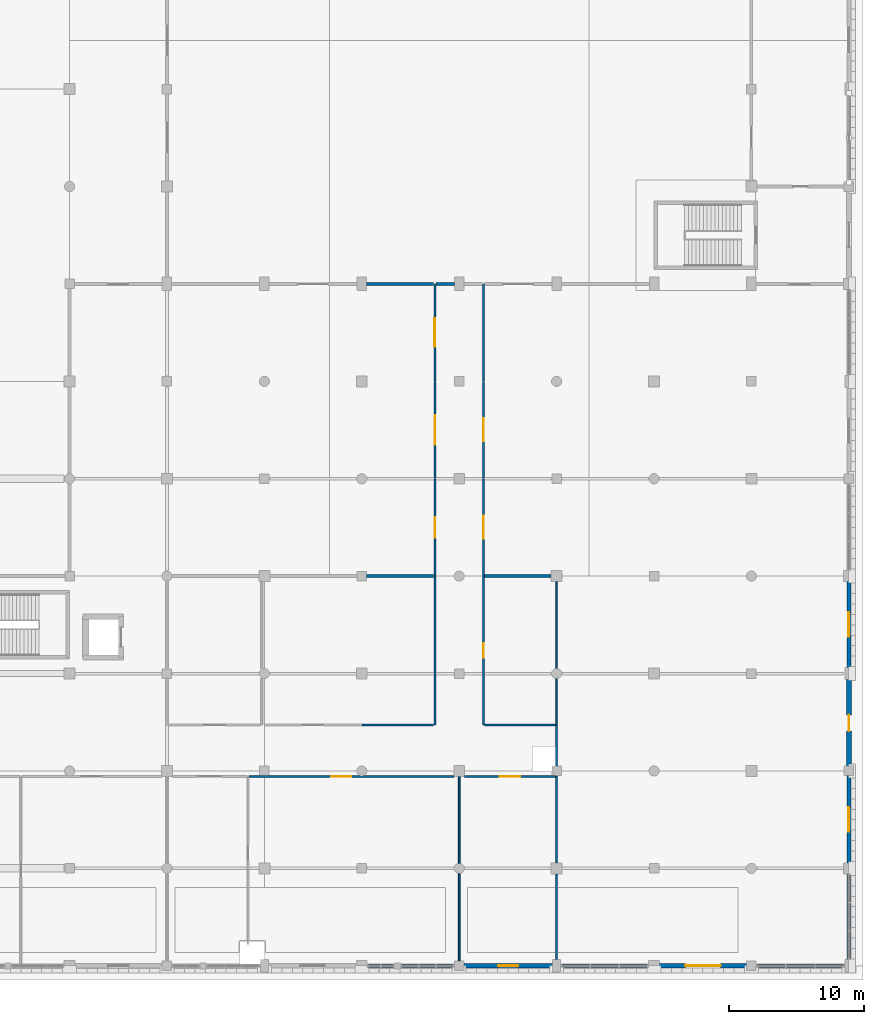
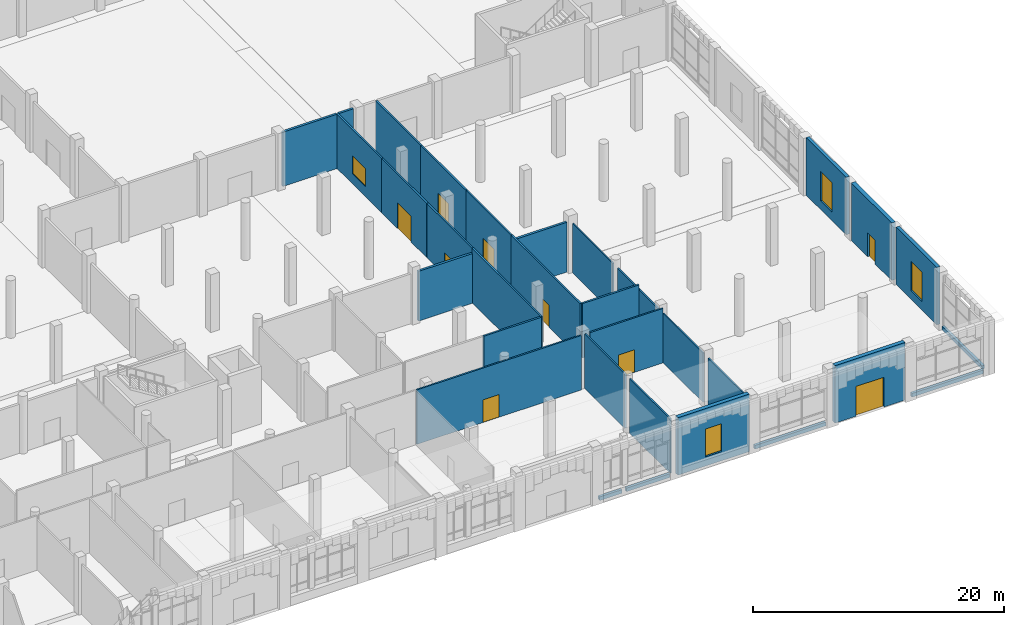
# One storey, part 63 of 85: 33 walls, 9 doors, 4 windows, 13 openings.
"""IFC4 building model written with IfcOpenShell, lengths in metres."""

from ifc_helpers import new_model, si_unit, direction, frame, frame_2d, origin, place, context, subcontext, project, spatial, rectangle, extrude, material, layer, layer_set, type_object, element, fill, save


model = new_model("IFC4")

# Units and contexts
model_context = context("Model", 3, precision=1e-05, world=origin(), true_north=direction((0.0, 1.0)))
body_context = subcontext(model_context, "Body", "Model", "MODEL_VIEW")
ifc_project = project(units=[si_unit("LENGTHUNIT", "METRE"), si_unit("AREAUNIT", "SQUARE_METRE"), si_unit("VOLUMEUNIT", "CUBIC_METRE"), si_unit("PLANEANGLEUNIT", "RADIAN"), si_unit("MASSUNIT", "GRAM", prefix="KILO")], contexts=[model_context])

# Site, building, storey
site_placement = place(None, origin())
site = spatial("IfcSite", under=ifc_project, at=site_placement, CompositionType="ELEMENT")
building_placement = place(site_placement, origin())
building = spatial("IfcBuilding", under=site, at=building_placement, Name="Sardonyx Promenade Sports Hall", CompositionType="ELEMENT")
storey_placement = place(building_placement, origin())
storey = spatial("IfcBuildingStorey", under=building, at=storey_placement, Name="L00", CompositionType="ELEMENT", Elevation=0.0)

# Wall, opening, window
ifc_material_1 = material(Name="Concrete C40/50", Category="concrete")
ifc_layer_1 = layer(ifc_material_1, 0.300048828125)
ifc_layer_set_1 = layer_set([ifc_layer_1], Name="Wall_Ext_Hall_300")
wall_type_1 = type_object("IfcWallType", Name="Wall_Ext_Hall_300", PredefinedType="SOLIDWALL", material=ifc_layer_set_1)
wall_1_placement = place(storey_placement, frame((165.60009765625, 28.4150390625, 0.0), z_axis=(0.0, 0.0, 1.0), x_axis=(0.0, -1.0, 0.0)))
wall_1 = element("IfcWall", 1, at=wall_1_placement, inside=storey, type_object=wall_type_1, Name="Exterior wall EW04 L00 #100", PredefinedType="SOLIDWALL", context=body_context, shape_type="SweptSolid", body=[
    extrude(rectangle(XDim=6.380126953125, YDim=0.300048828125, at=frame_2d((3.18994140625, 0.0))), origin(), (0.0, 0.0, 1.0), 5.60009765625),
])
opening_1_placement = place(wall_1_placement, frame((2.2900390625, 0.0, 0.85009765625)))
opening_1 = element("IfcOpeningElement", 2, at=opening_1_placement, cuts=wall_1, Name="Opening W23", PredefinedType="OPENING", context=body_context, shape_type="SweptSolid", body=[
    extrude(rectangle(XDim=1.800048828125, YDim=2.85009765625, at=frame_2d((0.89990234375, 1.425048828125))), frame((0.0, 0.16, 0.0), z_axis=(0.0, -1.0, 0.0), x_axis=(1.0, 0.0, 0.0)), (0.0, 0.0, 1.0), 0.32),
])
ifc_material_2 = material(Name="Double-glazed solar low-E aluminium window", Category="aluminium")
window_type_1 = type_object("IfcWindowType", Name="Win_Sandstone_ArchA", PartitioningType="DOUBLE_PANEL_VERTICAL", PredefinedType="WINDOW", material=ifc_material_2)
window_1_placement = place(opening_1_placement, origin())
window_1 = element("IfcWindow", 3, at=window_1_placement, inside=storey, type_object=window_type_1, Name="Facade window W23 L00 #41", OverallHeight=2.85009765625, OverallWidth=1.800048828125, PartitioningType="SINGLE_PANEL", PredefinedType="WINDOW", context=body_context, shape_type="SweptSolid", body=[
    extrude(rectangle(XDim=1.800048828125, YDim=2.85009765625, at=frame_2d((0.89990234375, 1.425048828125))), frame((0.0, 0.030029296875, 0.0), z_axis=(0.0, -1.0, 0.0), x_axis=(1.0, 0.0, 0.0)), (0.0, 0.0, 1.0), 0.06005859375),
])
fill(opening_1, window_1)

wall_2_placement = place(storey_placement, frame((165.60009765625, 14.06494140625, 0.0), z_axis=(0.0, 0.0, 1.0), x_axis=(0.0, -1.0, 0.0)))
wall_2 = element("IfcWall", 4, at=wall_2_placement, inside=storey, type_object=wall_type_1, Name="Exterior wall EW04 L00 #102", PredefinedType="SOLIDWALL", context=body_context, shape_type="SweptSolid", body=[
    extrude(rectangle(XDim=6.47998046875, YDim=0.300048828125, at=frame_2d((3.239990234375, 0.0))), origin(), (0.0, 0.0, 1.0), 5.60009765625),
])
opening_2_placement = place(wall_2_placement, frame((2.340087890625, 0.0, 0.85009765625)))
opening_2 = element("IfcOpeningElement", 5, at=opening_2_placement, cuts=wall_2, Name="Opening W23", PredefinedType="OPENING", context=body_context, shape_type="SweptSolid", body=[
    extrude(rectangle(XDim=1.800048828125, YDim=2.85009765625, at=frame_2d((0.89990234375, 1.425048828125))), frame((0.0, 0.16, 0.0), z_axis=(0.0, -1.0, 0.0), x_axis=(1.0, 0.0, 0.0)), (0.0, 0.0, 1.0), 0.32),
])
window_2_placement = place(opening_2_placement, origin())
window_2 = element("IfcWindow", 6, at=window_2_placement, inside=storey, type_object=window_type_1, Name="Facade window W23 L00 #42", OverallHeight=2.85009765625, OverallWidth=1.800048828125, PartitioningType="SINGLE_PANEL", PredefinedType="WINDOW", context=body_context, shape_type="SweptSolid", body=[
    extrude(rectangle(XDim=1.800048828125, YDim=2.85009765625, at=frame_2d((0.89990234375, 1.425048828125))), frame((0.0, 0.030029296875, 0.0), z_axis=(0.0, -1.0, 0.0), x_axis=(1.0, 0.0, 0.0)), (0.0, 0.0, 1.0), 0.06005859375),
])
fill(opening_2, window_2)

# Wall, opening, door
ifc_material_3 = material(Name="Concrete C40/50", Category="concrete")
ifc_layer_2 = layer(ifc_material_3, 0.360107421875)
ifc_layer_set_2 = layer_set([ifc_layer_2], Name="Wall_Ext_Sandstone_360")
wall_type_2 = type_object("IfcWallType", Name="Wall_Ext_Sandstone_360", PredefinedType="SOLIDWALL", material=ifc_layer_set_2)
wall_3_placement = place(storey_placement, frame((158.06494140625, 0.0, 0.0), z_axis=(0.0, 0.0, 1.0), x_axis=(-1.0, 0.0, 0.0)))
wall_3 = element("IfcWall", 7, at=wall_3_placement, inside=storey, type_object=wall_type_2, Name="Exterior wall EW06 L00 #2", PredefinedType="SOLIDWALL", context=body_context, shape_type="SweptSolid", body=[
    extrude(rectangle(XDim=6.47998046875, YDim=0.360107421875, at=frame_2d((3.239990234375, 0.0))), origin(), (0.0, 0.0, 1.0), 5.60009765625),
])
opening_3_placement = place(wall_3_placement, frame((1.93994140625, 0.0, 0.0)))
opening_3 = element("IfcOpeningElement", 8, at=opening_3_placement, cuts=wall_3, Name="Opening ED05", PredefinedType="OPENING", context=body_context, shape_type="SweptSolid", body=[
    extrude(rectangle(XDim=2.60009765625, YDim=2.89990234375, at=frame_2d((1.300048828125, 1.449951171875))), frame((0.0, 0.19, 0.0), z_axis=(0.0, -1.0, 0.0), x_axis=(1.0, 0.0, 0.0)), (0.0, 0.0, 1.0), 0.38),
])
ifc_material_4 = material(Name="Thermally broken anodised aluminium glazed door", Category="aluminium")
door_type_1 = type_object("IfcDoorType", Name="Door_Ext_Service_260x290", OperationType="NOTDEFINED", PredefinedType="DOOR", material=ifc_material_4)
door_1_placement = place(opening_3_placement, origin())
door_1 = element("IfcDoor", 9, at=door_1_placement, inside=storey, type_object=door_type_1, Name="Exterior exit door E03", OperationType="DOUBLE_DOOR_SINGLE_SWING", OverallHeight=2.89990234375, OverallWidth=2.60009765625, PredefinedType="DOOR", context=body_context, shape_type="SweptSolid", body=[
    extrude(rectangle(XDim=2.60009765625, YDim=2.89990234375, at=frame_2d((1.300048828125, 1.449951171875))), frame((0.0, 0.02490234375, 0.0), z_axis=(0.0, -1.0, 0.0), x_axis=(1.0, 0.0, 0.0)), (0.0, 0.0, 1.0), 0.050048828125),
])
fill(opening_3, door_1)

# Wall, opening, window
wall_4_placement = place(storey_placement, frame((143.715087890625, 0.0, 0.0), z_axis=(0.0, 0.0, 1.0), x_axis=(-1.0, 0.0, 0.0)))
wall_4 = element("IfcWall", 10, at=wall_4_placement, inside=storey, type_object=wall_type_2, Name="Exterior wall EW06 L00 #4", PredefinedType="SOLIDWALL", context=body_context, shape_type="SweptSolid", body=[
    extrude(rectangle(XDim=6.580078125, YDim=0.360107421875, at=frame_2d((3.2900390625, 0.0))), origin(), (0.0, 0.0, 1.0), 5.60009765625),
])
opening_4_placement = place(wall_4_placement, frame((2.5400390625, 0.0, 0.89990234375)))
opening_4 = element("IfcOpeningElement", 11, at=opening_4_placement, cuts=wall_4, Name="Opening W07", PredefinedType="OPENING", context=body_context, shape_type="SweptSolid", body=[
    extrude(rectangle(XDim=1.5, YDim=2.699951171875, at=frame_2d((0.75, 1.35009765625))), frame((0.0, 0.19, 0.0), z_axis=(0.0, -1.0, 0.0), x_axis=(1.0, 0.0, 0.0)), (0.0, 0.0, 1.0), 0.38),
])
ifc_material_5 = material(Name="Double-glazed solar low-E aluminium window", Category="aluminium")
window_type_2 = type_object("IfcWindowType", Name="Win_Sandstone_TallA", PartitioningType="SINGLE_PANEL", PredefinedType="WINDOW", material=ifc_material_5)
window_3_placement = place(opening_4_placement, origin())
window_3 = element("IfcWindow", 12, at=window_3_placement, inside=storey, type_object=window_type_2, Name="Facade window W07 L00 #1", OverallHeight=2.699951171875, OverallWidth=1.5, PartitioningType="SINGLE_PANEL", PredefinedType="WINDOW", context=body_context, shape_type="SweptSolid", body=[
    extrude(rectangle(XDim=1.5, YDim=2.699951171875, at=frame_2d((0.75, 1.35009765625))), frame((0.0, 0.030029296875, 0.0), z_axis=(0.0, -1.0, 0.0), x_axis=(1.0, 0.0, 0.0)), (0.0, 0.0, 1.0), 0.06005859375),
])
fill(opening_4, window_3)

# Wall, opening, door
wall_5_placement = place(storey_placement, frame((165.60009765625, 21.1650390625, 0.0), z_axis=(0.0, 0.0, 1.0), x_axis=(0.0, -1.0, 0.0)))
wall_5 = element("IfcWall", 13, at=wall_5_placement, inside=storey, type_object=wall_type_2, Name="Exterior wall EW06 L00 #101", PredefinedType="SOLIDWALL", context=body_context, shape_type="SweptSolid", body=[
    extrude(rectangle(XDim=6.429931640625, YDim=0.360107421875, at=frame_2d((3.21484375, 0.0))), origin(), (0.0, 0.0, 1.0), 5.60009765625),
])
opening_5_placement = place(wall_5_placement, frame((2.614990234375, 0.0, 0.0)))
opening_5 = element("IfcOpeningElement", 14, at=opening_5_placement, cuts=wall_5, Name="Opening ED02", PredefinedType="OPENING", context=body_context, shape_type="SweptSolid", body=[
    extrude(rectangle(XDim=1.199951171875, YDim=2.300048828125, at=frame_2d((0.60009765625, 1.14990234375))), frame((0.0, 0.19, 0.0), z_axis=(0.0, -1.0, 0.0), x_axis=(1.0, 0.0, 0.0)), (0.0, 0.0, 1.0), 0.38),
])
ifc_material_6 = material(Name="Thermally broken anodised aluminium glazed door", Category="aluminium")
door_type_2 = type_object("IfcDoorType", Name="Door_Ext_Single_120x230", OperationType="NOTDEFINED", PredefinedType="DOOR", material=ifc_material_6)
door_2_placement = place(opening_5_placement, origin())
door_2 = element("IfcDoor", 15, at=door_2_placement, inside=storey, type_object=door_type_2, Name="Exterior exit door E10", OperationType="SINGLE_SWING_RIGHT", OverallHeight=2.300048828125, OverallWidth=1.199951171875, PredefinedType="DOOR", context=body_context, shape_type="SweptSolid", body=[
    extrude(rectangle(XDim=1.199951171875, YDim=2.300048828125, at=frame_2d((0.60009765625, 1.14990234375))), frame((0.0, 0.02490234375, 0.0), z_axis=(0.0, -1.0, 0.0), x_axis=(1.0, 0.0, 0.0)), (0.0, 0.0, 1.0), 0.050048828125),
])
fill(opening_5, door_2)

# Walls
ifc_material_7 = material(Name="Masonry CMU 15 MPa", Category="masonry")
ifc_layer_3 = layer(ifc_material_7, 0.239990234375)
ifc_layer_set_3 = layer_set([ifc_layer_3], Name="Wall_Ext_Spandrel_240")
wall_type_3 = type_object("IfcWallType", Name="Wall_Ext_Spandrel_240", PredefinedType="SOLIDWALL", material=ifc_layer_set_3)
wall_6_placement = place(storey_placement, frame((165.31494140625, 0.0, 0.0), z_axis=(0.0, 0.0, 1.0), x_axis=(-1.0, 0.0, 0.0)))
element("IfcWall", 16, at=wall_6_placement, inside=storey, type_object=wall_type_3, Name="Curtain-wall sill spandrel L00 #1", PredefinedType="SOLIDWALL", context=body_context, shape_type="SweptSolid", body=[
    extrude(rectangle(XDim=6.579833984375, YDim=0.239990234375, at=frame_2d((3.2900390625, 0.0))), origin(), (0.0, 0.0, 1.0), 0.35009765625),
])
wall_7_placement = place(storey_placement, frame((150.81494140625, 0.0, 0.0), z_axis=(0.0, 0.0, 1.0), x_axis=(-1.0, 0.0, 0.0)))
element("IfcWall", 17, at=wall_7_placement, inside=storey, type_object=wall_type_3, Name="Curtain-wall sill spandrel L00 #3", PredefinedType="SOLIDWALL", context=body_context, shape_type="SweptSolid", body=[
    extrude(rectangle(XDim=6.530029296875, YDim=0.239990234375, at=frame_2d((3.26513671875, 0.0))), origin(), (0.0, 0.0, 1.0), 0.35009765625),
])
wall_8_placement = place(storey_placement, frame((136.465087890625, 0.0, 0.0), z_axis=(0.0, 0.0, 1.0), x_axis=(-1.0, 0.0, 0.0)))
element("IfcWall", 18, at=wall_8_placement, inside=storey, type_object=wall_type_3, Name="Curtain-wall sill spandrel L00 #5", PredefinedType="SOLIDWALL", context=body_context, shape_type="SweptSolid", body=[
    extrude(rectangle(XDim=4.005126953125, YDim=0.239990234375, at=frame_2d((2.00244140625, 0.0))), origin(), (0.0, 0.0, 1.0), 0.35009765625),
])
wall_9_placement = place(storey_placement, frame((132.0400390625, 0.0, 0.0), z_axis=(0.0, 0.0, 1.0), x_axis=(-1.0, 0.0, 0.0)))
element("IfcWall", 19, at=wall_9_placement, inside=storey, type_object=wall_type_3, Name="Curtain-wall sill spandrel L00 #6", PredefinedType="SOLIDWALL", context=body_context, shape_type="SweptSolid", body=[
    extrude(rectangle(XDim=2.054931640625, YDim=0.239990234375, at=frame_2d((1.02734375, 0.0))), origin(), (0.0, 0.0, 1.0), 0.35009765625),
])
wall_10_placement = place(storey_placement, frame((165.60009765625, 6.81494140625, 0.0), z_axis=(0.0, 0.0, 1.0), x_axis=(0.0, -1.0, 0.0)))
element("IfcWall", 20, at=wall_10_placement, inside=storey, type_object=wall_type_3, Name="Curtain-wall sill spandrel L00 #103", PredefinedType="SOLIDWALL", context=body_context, shape_type="SweptSolid", body=[
    extrude(rectangle(XDim=6.3798828125, YDim=0.239990234375, at=frame_2d((3.18994140625, 0.0))), origin(), (0.0, 0.0, 1.0), 0.35009765625),
])
ifc_material_8 = material(Name="Twin-stud acoustic gypsum partition", Category="gypsum")
ifc_layer_4 = layer(ifc_material_8, 0.169921875)
ifc_layer_set_4 = layer_set([ifc_layer_4], Name="Wall_Part_Acoust_170")
wall_type_4 = type_object("IfcWallType", Name="Wall_Part_Acoust_170", PredefinedType="PARTITIONING", material=ifc_layer_set_4)
wall_11_placement = place(storey_placement, frame((129.610107421875, 17.800048828125, 0.0), z_axis=(0.0, 0.0, 1.0), x_axis=(1.0, 0.0, 0.0)))
element("IfcWall", 21, at=wall_11_placement, inside=storey, type_object=wall_type_4, Name="Interior partition PW06 L00 #348", PredefinedType="PARTITIONING", context=body_context, shape_type="SweptSolid", body=[
    extrude(rectangle(XDim=5.304931640625, YDim=0.169921875, at=frame_2d((2.65234375, 0.0))), origin(), (0.0, 0.0, 1.0), 5.300048828125),
])
wall_12_placement = place(storey_placement, frame((138.68505859375, 17.800048828125, 0.0), z_axis=(0.0, 0.0, 1.0), x_axis=(1.0, 0.0, 0.0)))
element("IfcWall", 22, at=wall_12_placement, inside=storey, type_object=wall_type_4, Name="Interior partition PW06 L00 #349", PredefinedType="PARTITIONING", context=body_context, shape_type="SweptSolid", body=[
    extrude(rectangle(XDim=5.22998046875, YDim=0.169921875, at=frame_2d((2.614990234375, 0.0))), origin(), (0.0, 0.0, 1.0), 5.300048828125),
])
ifc_material_9 = material(Name="Masonry CMU 15 MPa", Category="masonry")
ifc_layer_5 = layer(ifc_material_9, 0.2099609375)
ifc_layer_set_5 = layer_set([ifc_layer_5], Name="Wall_Part_Block_210")
wall_type_5 = type_object("IfcWallType", Name="Wall_Part_Block_210", PredefinedType="PARTITIONING", material=ifc_layer_set_5)
wall_13_placement = place(storey_placement, frame((129.949951171875, 28.800048828125, 0.0), z_axis=(0.0, 0.0, 1.0), x_axis=(1.0, 0.0, 0.0)))
element("IfcWall", 23, at=wall_13_placement, inside=storey, type_object=wall_type_5, Name="Interior partition PW07 L00 #350", PredefinedType="PARTITIONING", context=body_context, shape_type="SweptSolid", body=[
    extrude(rectangle(XDim=4.965087890625, YDim=0.2099609375, at=frame_2d((2.482421875, 0.0))), origin(), (0.0, 0.0, 1.0), 4.836669921875),
])
wall_14_placement = place(storey_placement, frame((138.68505859375, 28.800048828125, 0.0), z_axis=(0.0, 0.0, 1.0), x_axis=(1.0, 0.0, 0.0)))
element("IfcWall", 24, at=wall_14_placement, inside=storey, type_object=wall_type_5, Name="Interior partition PW07 L00 #351", PredefinedType="PARTITIONING", context=body_context, shape_type="SweptSolid", body=[
    extrude(rectangle(XDim=4.9150390625, YDim=0.2099609375, at=frame_2d((2.45751953125, 0.0))), origin(), (0.0, 0.0, 1.0), 4.836669921875),
])
wall_15_placement = place(storey_placement, frame((129.949951171875, 50.39990234375, 0.0), z_axis=(0.0, 0.0, 1.0), x_axis=(1.0, 0.0, 0.0)))
element("IfcWall", 25, at=wall_15_placement, inside=storey, type_object=wall_type_5, Name="Interior partition PW07 L00 #451", PredefinedType="PARTITIONING", context=body_context, shape_type="SweptSolid", body=[
    extrude(rectangle(XDim=4.965087890625, YDim=0.2099609375, at=frame_2d((2.482421875, 0.0))), origin(), (0.0, 0.0, 1.0), 5.2900390625),
])
wall_16_placement = place(storey_placement, frame((135.0849609375, 50.39990234375, 0.0), z_axis=(0.0, 0.0, 1.0), x_axis=(1.0, 0.0, 0.0)))
element("IfcWall", 26, at=wall_16_placement, inside=storey, type_object=wall_type_5, Name="Interior partition PW07 L00 #452", PredefinedType="PARTITIONING", context=body_context, shape_type="SweptSolid", body=[
    extrude(rectangle(XDim=1.364990234375, YDim=0.2099609375, at=frame_2d((0.6826171875, 0.0))), origin(), (0.0, 0.0, 1.0), 5.2900390625),
])
ifc_material_10 = material(Name="Hygienic clinical stud partition", Category="gypsum")
ifc_layer_6 = layer(ifc_material_10, 0.1201171875)
ifc_layer_set_6 = layer_set([ifc_layer_6], Name="Wall_Part_Clinic_120")
wall_type_6 = type_object("IfcWallType", Name="Wall_Part_Clinic_120", PredefinedType="PARTITIONING", material=ifc_layer_set_6)
wall_17_placement = place(storey_placement, frame((144.0, 17.800048828125, 0.0), z_axis=(0.0, 0.0, 1.0), x_axis=(0.0, 1.0, 0.0)))
element("IfcWall", 27, at=wall_17_placement, inside=storey, type_object=wall_type_6, Name="Interior partition PW02 L00 #106", PredefinedType="PARTITIONING", context=body_context, shape_type="SweptSolid", body=[
    extrude(rectangle(XDim=3.425048828125, YDim=0.1201171875, at=frame_2d((1.71240234375, 0.0))), origin(), (0.0, 0.0, 1.0), 4.7900390625),
])
wall_18_placement = place(storey_placement, frame((144.0, 21.97509765625, 0.0), z_axis=(0.0, 0.0, 1.0), x_axis=(0.0, 1.0, 0.0)))
element("IfcWall", 28, at=wall_18_placement, inside=storey, type_object=wall_type_6, Name="Interior partition PW02 L00 #107", PredefinedType="PARTITIONING", context=body_context, shape_type="SweptSolid", body=[
    extrude(rectangle(XDim=6.4248046875, YDim=0.1201171875, at=frame_2d((3.21240234375, 0.0))), origin(), (0.0, 0.0, 1.0), 4.7900390625),
])
ifc_material_11 = material(Name="Fire-rated stud gypsum partition", Category="gypsum")
ifc_layer_7 = layer(ifc_material_11, 0.14990234375)
ifc_layer_set_7 = layer_set([ifc_layer_7], Name="Wall_Part_Corridor_150")
wall_type_7 = type_object("IfcWallType", Name="Wall_Part_Corridor_150", PredefinedType="PARTITIONING", material=ifc_layer_set_7)
wall_19_placement = place(storey_placement, frame((144.0, 14.75, 0.0), z_axis=(0.0, 0.0, 1.0), x_axis=(0.0, 1.0, 0.0)))
element("IfcWall", 29, at=wall_19_placement, inside=storey, type_object=wall_type_7, Name="Interior partition PW04 L00 #109", PredefinedType="PARTITIONING", context=body_context, shape_type="SweptSolid", body=[
    extrude(rectangle(XDim=3.0400390625, YDim=0.14990234375, at=frame_2d((1.52001953125, 0.0))), origin(), (0.0, 0.0, 1.0), 4.7900390625),
])

# Wall, opening, door
wall_20_placement = place(storey_placement, frame((121.27001953125, 14.0, 0.0), z_axis=(0.0, 0.0, 1.0), x_axis=(1.0, 0.0, 0.0)))
wall_20 = element("IfcWall", 30, at=wall_20_placement, inside=storey, type_object=wall_type_7, Name="Interior partition PW04 L00 #137", PredefinedType="PARTITIONING", context=body_context, shape_type="SweptSolid", body=[
    extrude(rectangle(XDim=15.1298828125, YDim=0.14990234375, at=frame_2d((7.56494140625, 0.0))), origin(), (0.0, 0.0, 1.0), 5.300048828125),
])
opening_6_placement = place(wall_20_placement, frame((6.06494140625, 0.0, 0.0)))
opening_6 = element("IfcOpeningElement", 31, at=opening_6_placement, cuts=wall_20, Name="Opening ID10", PredefinedType="OPENING", context=body_context, shape_type="SweptSolid", body=[
    extrude(rectangle(XDim=1.5, YDim=2.199951171875, at=frame_2d((0.75, 1.10009765625))), frame((0.0, 0.085, 0.0), z_axis=(0.0, -1.0, 0.0), x_axis=(1.0, 0.0, 0.0)), (0.0, 0.0, 1.0), 0.17),
])
ifc_material_12 = material(Name="Double studio entrance fire door FD30S", Category="wood")
door_type_3 = type_object("IfcDoorType", Name="Door_Corr_FD30_150x220", OperationType="NOTDEFINED", PredefinedType="DOOR", material=ifc_material_12)
door_3_placement = place(opening_6_placement, origin())
door_3 = element("IfcDoor", 32, at=door_3_placement, inside=storey, type_object=door_type_3, Name="Interior door D00-036", OperationType="DOUBLE_DOOR_SINGLE_SWING", OverallHeight=2.199951171875, OverallWidth=1.5, PredefinedType="DOOR", context=body_context, shape_type="SweptSolid", body=[
    extrude(rectangle(XDim=1.5, YDim=2.199951171875, at=frame_2d((0.75, 1.10009765625))), frame((0.0, 0.02490234375, 0.0), z_axis=(0.0, -1.0, 0.0), x_axis=(1.0, 0.0, 0.0)), (0.0, 0.0, 1.0), 0.050048828125),
])
fill(opening_6, door_3)

wall_21_placement = place(storey_placement, frame((137.199951171875, 14.0, 0.0), z_axis=(0.0, 0.0, 1.0), x_axis=(1.0, 0.0, 0.0)))
wall_21 = element("IfcWall", 33, at=wall_21_placement, inside=storey, type_object=wall_type_7, Name="Interior partition PW04 L00 #138", PredefinedType="PARTITIONING", context=body_context, shape_type="SweptSolid", body=[
    extrude(rectangle(XDim=6.72509765625, YDim=0.14990234375, at=frame_2d((3.362548828125, 0.0))), origin(), (0.0, 0.0, 1.0), 5.300048828125),
])
opening_7_placement = place(wall_21_placement, frame((2.612548828125, 0.0, 0.0)))
opening_7 = element("IfcOpeningElement", 34, at=opening_7_placement, cuts=wall_21, Name="Opening ID10", PredefinedType="OPENING", context=body_context, shape_type="SweptSolid", body=[
    extrude(rectangle(XDim=1.5, YDim=2.199951171875, at=frame_2d((0.75, 1.10009765625))), frame((0.0, 0.085, 0.0), z_axis=(0.0, -1.0, 0.0), x_axis=(1.0, 0.0, 0.0)), (0.0, 0.0, 1.0), 0.17),
])
door_4_placement = place(opening_7_placement, origin())
door_4 = element("IfcDoor", 35, at=door_4_placement, inside=storey, type_object=door_type_3, Name="Interior door D00-037", OperationType="DOUBLE_DOOR_SINGLE_SWING", OverallHeight=2.199951171875, OverallWidth=1.5, PredefinedType="DOOR", context=body_context, shape_type="SweptSolid", body=[
    extrude(rectangle(XDim=1.5, YDim=2.199951171875, at=frame_2d((0.75, 1.10009765625))), frame((0.0, 0.02490234375, 0.0), z_axis=(0.0, -1.0, 0.0), x_axis=(1.0, 0.0, 0.0)), (0.0, 0.0, 1.0), 0.050048828125),
])
fill(opening_7, door_4)

# Wall
wall_22_placement = place(storey_placement, frame((135.0, 17.800048828125, 0.0), z_axis=(0.0, 0.0, 1.0), x_axis=(0.0, 1.0, 0.0)))
element("IfcWall", 36, at=wall_22_placement, inside=storey, type_object=wall_type_7, Name="Interior partition PW04 L00 #346", PredefinedType="PARTITIONING", context=body_context, shape_type="SweptSolid", body=[
    extrude(rectangle(XDim=11.0, YDim=0.14990234375, at=frame_2d((5.5, 0.0))), origin(), (0.0, 0.0, 1.0), 5.300048828125),
])

# Wall, opening, door
wall_23_placement = place(storey_placement, frame((138.60009765625, 17.800048828125, 0.0), z_axis=(0.0, 0.0, 1.0), x_axis=(0.0, 1.0, 0.0)))
wall_23 = element("IfcWall", 37, at=wall_23_placement, inside=storey, type_object=wall_type_7, Name="Interior partition PW04 L00 #347", PredefinedType="PARTITIONING", context=body_context, shape_type="SweptSolid", body=[
    extrude(rectangle(XDim=11.0, YDim=0.14990234375, at=frame_2d((5.5, 0.0))), origin(), (0.0, 0.0, 1.0), 5.300048828125),
])
opening_8_placement = place(wall_23_placement, frame((4.97509765625, 0.0, 0.0)))
opening_8 = element("IfcOpeningElement", 38, at=opening_8_placement, cuts=wall_23, Name="Opening ID07", PredefinedType="OPENING", context=body_context, shape_type="SweptSolid", body=[
    extrude(rectangle(XDim=1.050048828125, YDim=2.14990234375, at=frame_2d((0.52490234375, 1.074951171875))), frame((0.0, 0.085, 0.0), z_axis=(0.0, -1.0, 0.0), x_axis=(1.0, 0.0, 0.0)), (0.0, 0.0, 1.0), 0.17),
])
ifc_material_13 = material(Name="Hardwood accessible fire door FD30S", Category="wood")
door_type_4 = type_object("IfcDoorType", Name="Door_Corr_FD30_105x215", OperationType="NOTDEFINED", PredefinedType="DOOR", material=ifc_material_13)
door_5_placement = place(opening_8_placement, origin())
door_5 = element("IfcDoor", 39, at=door_5_placement, inside=storey, type_object=door_type_4, Name="Interior door D00-111", OperationType="SINGLE_SWING_LEFT", OverallHeight=2.14990234375, OverallWidth=1.050048828125, PredefinedType="DOOR", context=body_context, shape_type="SweptSolid", body=[
    extrude(rectangle(XDim=1.050048828125, YDim=2.14990234375, at=frame_2d((0.52490234375, 1.074951171875))), frame((0.0, 0.02490234375, 0.0), z_axis=(0.0, -1.0, 0.0), x_axis=(1.0, 0.0, 0.0)), (0.0, 0.0, 1.0), 0.050048828125),
])
fill(opening_8, door_5)

wall_24_placement = place(storey_placement, frame((135.0, 28.81005859375, 0.0), z_axis=(0.0, 0.0, 1.0), x_axis=(0.0, 1.0, 0.0)))
wall_24 = element("IfcWall", 40, at=wall_24_placement, inside=storey, type_object=wall_type_7, Name="Interior partition PW04 L00 #352", PredefinedType="PARTITIONING", context=body_context, shape_type="SweptSolid", body=[
    extrude(rectangle(XDim=7.18994140625, YDim=0.14990234375, at=frame_2d((3.594970703125, 0.0))), origin(), (0.0, 0.0, 1.0), 5.2900390625),
])
opening_9_placement = place(wall_24_placement, frame((2.844970703125, 0.0, 0.0)))
opening_9 = element("IfcOpeningElement", 41, at=opening_9_placement, cuts=wall_24, Name="Opening ID10", PredefinedType="OPENING", context=body_context, shape_type="SweptSolid", body=[
    extrude(rectangle(XDim=1.5, YDim=2.199951171875, at=frame_2d((0.75, 1.10009765625))), frame((0.0, 0.085, 0.0), z_axis=(0.0, -1.0, 0.0), x_axis=(1.0, 0.0, 0.0)), (0.0, 0.0, 1.0), 0.17),
])
door_6_placement = place(opening_9_placement, origin())
door_6 = element("IfcDoor", 42, at=door_6_placement, inside=storey, type_object=door_type_3, Name="Interior door D00-112", OperationType="DOUBLE_DOOR_SINGLE_SWING", OverallHeight=2.199951171875, OverallWidth=1.5, PredefinedType="DOOR", context=body_context, shape_type="SweptSolid", body=[
    extrude(rectangle(XDim=1.5, YDim=2.199951171875, at=frame_2d((0.75, 1.10009765625))), frame((0.0, 0.02490234375, 0.0), z_axis=(0.0, -1.0, 0.0), x_axis=(1.0, 0.0, 0.0)), (0.0, 0.0, 1.0), 0.050048828125),
])
fill(opening_9, door_6)

wall_25_placement = place(storey_placement, frame((138.60009765625, 28.81005859375, 0.0), z_axis=(0.0, 0.0, 1.0), x_axis=(0.0, 1.0, 0.0)))
wall_25 = element("IfcWall", 43, at=wall_25_placement, inside=storey, type_object=wall_type_7, Name="Interior partition PW04 L00 #353", PredefinedType="PARTITIONING", context=body_context, shape_type="SweptSolid", body=[
    extrude(rectangle(XDim=7.18994140625, YDim=0.14990234375, at=frame_2d((3.594970703125, 0.0))), origin(), (0.0, 0.0, 1.0), 5.2900390625),
])
opening_10_placement = place(wall_25_placement, frame((2.7451171875, 0.0, 0.0)))
opening_10 = element("IfcOpeningElement", 44, at=opening_10_placement, cuts=wall_25, Name="Opening ID03", PredefinedType="OPENING", context=body_context, shape_type="SweptSolid", body=[
    extrude(rectangle(XDim=1.699951171875, YDim=2.300048828125, at=frame_2d((0.85009765625, 1.14990234375))), frame((0.0, 0.085, 0.0), z_axis=(0.0, -1.0, 0.0), x_axis=(1.0, 0.0, 0.0)), (0.0, 0.0, 1.0), 0.17),
])
ifc_material_14 = material(Name="Double changing suite fire door FD30S", Category="wood")
door_type_5 = type_object("IfcDoorType", Name="Door_Corr_FD30_170x230", OperationType="NOTDEFINED", PredefinedType="DOOR", material=ifc_material_14)
door_7_placement = place(opening_10_placement, origin())
door_7 = element("IfcDoor", 45, at=door_7_placement, inside=storey, type_object=door_type_5, Name="Interior door D00-113", OperationType="DOUBLE_DOOR_SINGLE_SWING", OverallHeight=2.300048828125, OverallWidth=1.699951171875, PredefinedType="DOOR", context=body_context, shape_type="SweptSolid", body=[
    extrude(rectangle(XDim=1.699951171875, YDim=2.300048828125, at=frame_2d((0.85009765625, 1.14990234375))), frame((0.0, 0.02490234375, 0.0), z_axis=(0.0, -1.0, 0.0), x_axis=(1.0, 0.0, 0.0)), (0.0, 0.0, 1.0), 0.050048828125),
])
fill(opening_10, door_7)

wall_26_placement = place(storey_placement, frame((135.0, 36.010009765625, 0.0), z_axis=(0.0, 0.0, 1.0), x_axis=(0.0, 1.0, 0.0)))
wall_26 = element("IfcWall", 46, at=wall_26_placement, inside=storey, type_object=wall_type_7, Name="Interior partition PW04 L00 #354", PredefinedType="PARTITIONING", context=body_context, shape_type="SweptSolid", body=[
    extrude(rectangle(XDim=7.18994140625, YDim=0.14990234375, at=frame_2d((3.594970703125, 0.0))), origin(), (0.0, 0.0, 1.0), 5.2900390625),
])
opening_11_placement = place(wall_26_placement, frame((2.4951171875, 0.0, 0.0)))
opening_11 = element("IfcOpeningElement", 47, at=opening_11_placement, cuts=wall_26, Name="Opening ID04", PredefinedType="OPENING", context=body_context, shape_type="SweptSolid", body=[
    extrude(rectangle(XDim=2.199951171875, YDim=2.5, at=frame_2d((1.10009765625, 1.25))), frame((0.0, 0.085, 0.0), z_axis=(0.0, -1.0, 0.0), x_axis=(1.0, 0.0, 0.0)), (0.0, 0.0, 1.0), 0.17),
])
ifc_material_15 = material(Name="Double acoustic sports hall fire door FD60S", Category="wood")
door_type_6 = type_object("IfcDoorType", Name="Door_Hall_FD60_220x250", OperationType="NOTDEFINED", PredefinedType="DOOR", material=ifc_material_15)
door_8_placement = place(opening_11_placement, origin())
door_8 = element("IfcDoor", 48, at=door_8_placement, inside=storey, type_object=door_type_6, Name="Interior door D00-114", OperationType="DOUBLE_DOOR_SINGLE_SWING", OverallHeight=2.5, OverallWidth=2.199951171875, PredefinedType="DOOR", context=body_context, shape_type="SweptSolid", body=[
    extrude(rectangle(XDim=2.199951171875, YDim=2.5, at=frame_2d((1.10009765625, 1.25))), frame((0.0, 0.02490234375, 0.0), z_axis=(0.0, -1.0, 0.0), x_axis=(1.0, 0.0, 0.0)), (0.0, 0.0, 1.0), 0.050048828125),
])
fill(opening_11, door_8)

wall_27_placement = place(storey_placement, frame((138.60009765625, 36.010009765625, 0.0), z_axis=(0.0, 0.0, 1.0), x_axis=(0.0, 1.0, 0.0)))
wall_27 = element("IfcWall", 49, at=wall_27_placement, inside=storey, type_object=wall_type_7, Name="Interior partition PW04 L00 #355", PredefinedType="PARTITIONING", context=body_context, shape_type="SweptSolid", body=[
    extrude(rectangle(XDim=7.18994140625, YDim=0.14990234375, at=frame_2d((3.594970703125, 0.0))), origin(), (0.0, 0.0, 1.0), 5.2900390625),
])
opening_12_placement = place(wall_27_placement, frame((2.7451171875, 0.0, 0.0)))
opening_12 = element("IfcOpeningElement", 50, at=opening_12_placement, cuts=wall_27, Name="Opening ID03", PredefinedType="OPENING", context=body_context, shape_type="SweptSolid", body=[
    extrude(rectangle(XDim=1.699951171875, YDim=2.300048828125, at=frame_2d((0.85009765625, 1.14990234375))), frame((0.0, 0.085, 0.0), z_axis=(0.0, -1.0, 0.0), x_axis=(1.0, 0.0, 0.0)), (0.0, 0.0, 1.0), 0.17),
])
door_9_placement = place(opening_12_placement, origin())
door_9 = element("IfcDoor", 51, at=door_9_placement, inside=storey, type_object=door_type_5, Name="Interior door D00-115", OperationType="DOUBLE_DOOR_SINGLE_SWING", OverallHeight=2.300048828125, OverallWidth=1.699951171875, PredefinedType="DOOR", context=body_context, shape_type="SweptSolid", body=[
    extrude(rectangle(XDim=1.699951171875, YDim=2.300048828125, at=frame_2d((0.85009765625, 1.14990234375))), frame((0.0, 0.02490234375, 0.0), z_axis=(0.0, -1.0, 0.0), x_axis=(1.0, 0.0, 0.0)), (0.0, 0.0, 1.0), 0.050048828125),
])
fill(opening_12, door_9)

# Wall, opening, window
wall_28_placement = place(storey_placement, frame((135.0, 43.2099609375, 0.0), z_axis=(0.0, 0.0, 1.0), x_axis=(0.0, 1.0, 0.0)))
wall_28 = element("IfcWall", 52, at=wall_28_placement, inside=storey, type_object=wall_type_7, Name="Interior partition PW04 L00 #356", PredefinedType="PARTITIONING", context=body_context, shape_type="SweptSolid", body=[
    extrude(rectangle(XDim=7.18994140625, YDim=0.14990234375, at=frame_2d((3.594970703125, 0.0))), origin(), (0.0, 0.0, 1.0), 5.2900390625),
])
opening_13_placement = place(wall_28_placement, frame((2.544921875, 0.0, 1.0)))
opening_13 = element("IfcOpeningElement", 53, at=opening_13_placement, cuts=wall_28, Name="Opening IW04", PredefinedType="OPENING", context=body_context, shape_type="SweptSolid", body=[
    extrude(rectangle(XDim=2.10009765625, YDim=1.75, at=frame_2d((1.050048828125, 0.875))), frame((0.0, 0.085, 0.0), z_axis=(0.0, -1.0, 0.0), x_axis=(1.0, 0.0, 0.0)), (0.0, 0.0, 1.0), 0.17),
])
ifc_material_16 = material(Name="Acoustic laminated sports viewing glazing EI 60", Category="glass")
window_type_3 = type_object("IfcWindowType", Name="IWin_Prac_210x175", PartitioningType="DOUBLE_PANEL_VERTICAL", PredefinedType="WINDOW", material=ifc_material_16)
window_4_placement = place(opening_13_placement, origin())
window_4 = element("IfcWindow", 54, at=window_4_placement, inside=storey, type_object=window_type_3, Name="Internal viewing window IW04 L00 #9", OverallHeight=1.75, OverallWidth=2.10009765625, PartitioningType="SINGLE_PANEL", PredefinedType="WINDOW", context=body_context, shape_type="SweptSolid", body=[
    extrude(rectangle(XDim=2.10009765625, YDim=1.75, at=frame_2d((1.050048828125, 0.875))), frame((0.0, 0.030029296875, 0.0), z_axis=(0.0, -1.0, 0.0), x_axis=(1.0, 0.0, 0.0)), (0.0, 0.0, 1.0), 0.06005859375),
])
fill(opening_13, window_4)

# Walls
wall_29_placement = place(storey_placement, frame((138.60009765625, 43.2099609375, 0.0), z_axis=(0.0, 0.0, 1.0), x_axis=(0.0, 1.0, 0.0)))
element("IfcWall", 55, at=wall_29_placement, inside=storey, type_object=wall_type_7, Name="Interior partition PW04 L00 #357", PredefinedType="PARTITIONING", context=body_context, shape_type="SweptSolid", body=[
    extrude(rectangle(XDim=7.18994140625, YDim=0.14990234375, at=frame_2d((3.594970703125, 0.0))), origin(), (0.0, 0.0, 1.0), 5.2900390625),
])
ifc_material_17 = material(Name="Acoustic sports stud partition", Category="gypsum")
ifc_layer_8 = layer(ifc_material_17, 0.1298828125)
ifc_layer_set_8 = layer_set([ifc_layer_8], Name="Wall_Part_Studio_130")
wall_type_8 = type_object("IfcWallType", Name="Wall_Part_Studio_130", PredefinedType="PARTITIONING", material=ifc_layer_set_8)
wall_30_placement = place(storey_placement, frame((144.0, 0.449951171875, 0.0), z_axis=(0.0, 0.0, 1.0), x_axis=(0.0, 1.0, 0.0)))
element("IfcWall", 56, at=wall_30_placement, inside=storey, type_object=wall_type_8, Name="Interior partition PW05 L00 #74", PredefinedType="PARTITIONING", context=body_context, shape_type="SweptSolid", body=[
    extrude(rectangle(XDim=6.35009765625, YDim=0.1298828125, at=frame_2d((3.175048828125, 0.0))), origin(), (0.0, 0.0, 1.0), 4.7900390625),
])
wall_31_placement = place(storey_placement, frame((144.0, 7.60009765625, 0.0), z_axis=(0.0, 0.0, 1.0), x_axis=(0.0, 1.0, 0.0)))
element("IfcWall", 57, at=wall_31_placement, inside=storey, type_object=wall_type_8, Name="Interior partition PW05 L00 #75", PredefinedType="PARTITIONING", context=body_context, shape_type="SweptSolid", body=[
    extrude(rectangle(XDim=6.39990234375, YDim=0.1298828125, at=frame_2d((3.199951171875, 0.0))), origin(), (0.0, 0.0, 1.0), 4.7900390625),
])
ifc_material_18 = material(Name="Moisture-resistant masonry partition", Category="masonry")
ifc_layer_9 = layer(ifc_material_18, 0.139892578125)
ifc_layer_set_9 = layer_set([ifc_layer_9], Name="Wall_Part_Wet_140")
wall_type_9 = type_object("IfcWallType", Name="Wall_Part_Wet_140", PredefinedType="PARTITIONING", material=ifc_layer_set_9)
wall_32_placement = place(storey_placement, frame((136.800048828125, 0.35009765625, 0.0), z_axis=(0.0, 0.0, 1.0), x_axis=(0.0, 1.0, 0.0)))
element("IfcWall", 58, at=wall_32_placement, inside=storey, type_object=wall_type_9, Name="Interior partition PW08 L00 #72", PredefinedType="PARTITIONING", context=body_context, shape_type="SweptSolid", body=[
    extrude(rectangle(XDim=6.474853515625, YDim=0.139892578125, at=frame_2d((3.2373046875, 0.0))), origin(), (0.0, 0.0, 1.0), 5.300048828125),
])
wall_33_placement = place(storey_placement, frame((136.800048828125, 7.574951171875, 0.0), z_axis=(0.0, 0.0, 1.0), x_axis=(0.0, 1.0, 0.0)))
element("IfcWall", 59, at=wall_33_placement, inside=storey, type_object=wall_type_9, Name="Interior partition PW08 L00 #73", PredefinedType="PARTITIONING", context=body_context, shape_type="SweptSolid", body=[
    extrude(rectangle(XDim=6.425048828125, YDim=0.139892578125, at=frame_2d((3.21240234375, 0.0))), origin(), (0.0, 0.0, 1.0), 5.300048828125),
])

save(model, "model.ifc")
